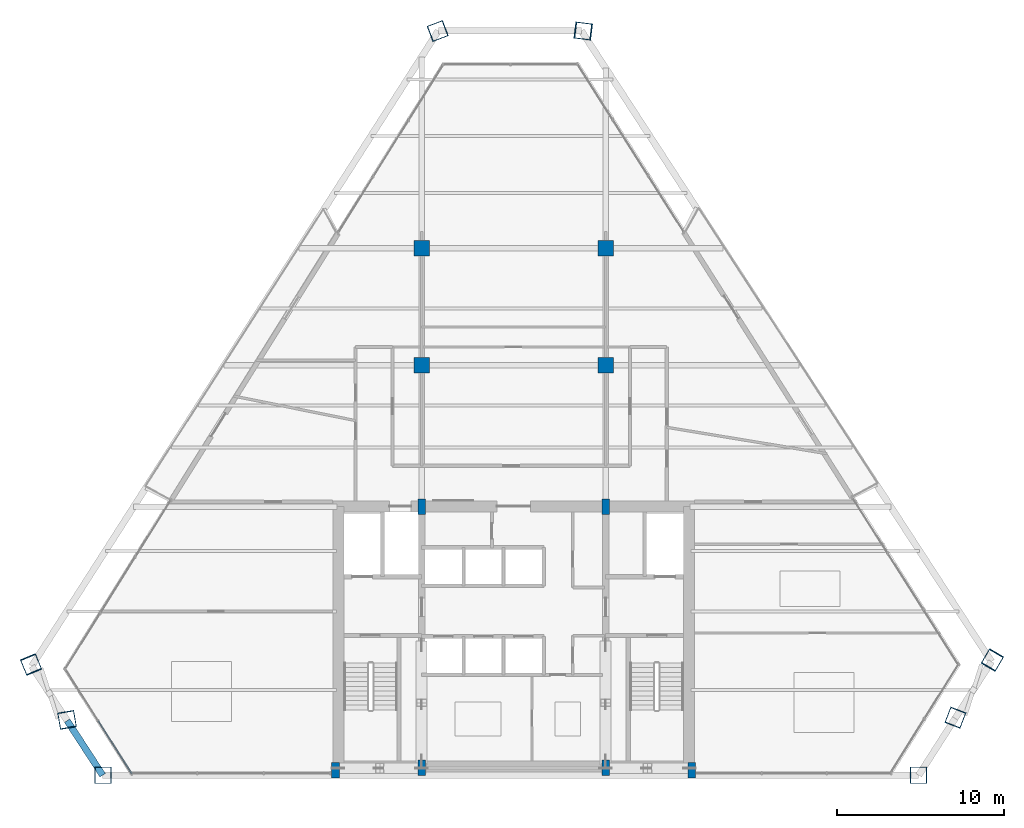
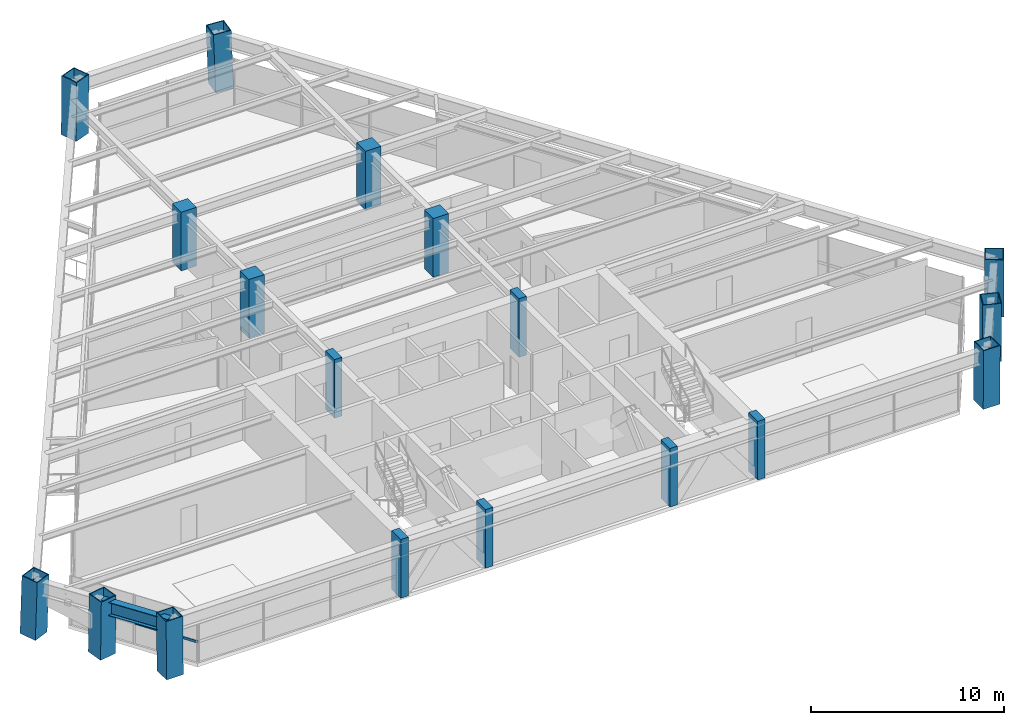
# One storey, part 1 of 15: 18 columns, 1 beam, 1 member, 1 element without a shape of its own.
"""IFC4 building model written with IfcOpenShell, lengths in metres."""

from ifc_helpers import new_model, si_unit, direction, frame, origin, origin_2d, place, context, subcontext, project, spatial, rectangle, hollow_rectangle, i_section, extrude, source, transform, mapped, material, material_profile, profile_set, type_object, type_shapes, element, aggregate, save


model = new_model("IFC4")

# Units and contexts
model_context = context("Model", 3, precision=1e-05, world=origin(), true_north=direction((0.0, 1.0)))
body_context = subcontext(model_context, "Body", "Model", "MODEL_VIEW")
ifc_project = project(units=[si_unit("LENGTHUNIT", "METRE"), si_unit("AREAUNIT", "SQUARE_METRE"), si_unit("VOLUMEUNIT", "CUBIC_METRE"), si_unit("PLANEANGLEUNIT", "RADIAN"), si_unit("MASSUNIT", "GRAM", prefix="KILO")], contexts=[model_context])

# Site, building, storey
site_placement = place(None, origin())
site = spatial("IfcSite", under=ifc_project, at=site_placement, CompositionType="ELEMENT")
building_placement = place(site_placement, origin())
building = spatial("IfcBuilding", under=site, at=building_placement, Name="Varnakhor Terracotta Tower", CompositionType="ELEMENT")
storey_placement = place(building_placement, frame((0.0, 0.0, 178.39990234375)))
storey = spatial("IfcBuildingStorey", under=building, at=storey_placement, Name="L45", CompositionType="ELEMENT", Elevation=178.39990234375)

# Columns
ifc_material_1 = material(Name="Concrete C50/60", Category="concrete")
ifc_material_profile_1 = material_profile(ifc_material_1, rectangle(XDim=0.449951171875, YDim=0.949951171875, at=origin_2d()), Name="RC PILASTER 950x450")
ifc_profile_set_1 = profile_set([ifc_material_profile_1], Name="Concrete C50/60")
column_type_1 = type_object("IfcColumnType", Name="COL-PIL-950x450", PredefinedType="PILASTER", material=ifc_profile_set_1)
shared_shape_1 = source(origin(), body_context, "Body", "SweptSolid", [
    extrude(rectangle(XDim=0.449951171875, YDim=0.949951171875, at=origin_2d()), origin(), (0.0, 0.0, 1.0), 3.7001953125),
])
for number, where, z_axis, x_axis, name in (
    (1, (-10.64990234375, 0.300048828125, 0.0), (0.0, 0.0, 1.0), (1.0, 0.0, 0.0), "L45 Core Pilaster CP1"),
    (2, (-5.5, 0.449951171875, 0.0), (0.0, 0.0, 1.0), (1.0, 0.0, 0.0), "L45 Core Pilaster CP2"),
    (3, (5.5, 0.449951171875, 0.0), (0.0, 0.0, 1.0), (1.0, 0.0, 0.0), "L45 Core Pilaster CP3"),
    (4, (10.64990234375, 0.300048828125, 0.0), (0.0, 0.0, 1.0), (1.0, 0.0, 0.0), "L45 Core Pilaster CP4"),
    (5, (-5.5, 16.050048828125, 0.0), (0.0, 0.0, 1.0), (1.0, 0.0, 0.0), "L45 Core Pilaster CP5"),
    (6, (5.5, 16.050048828125, 0.0), (0.0, 0.0, 1.0), (1.0, 0.0, 0.0), "L45 Core Pilaster CP6"),
):
    element("IfcColumn", number, at=place(storey_placement, frame(where, z_axis=z_axis, x_axis=x_axis)), inside=storey, type_object=column_type_1, Name=name, PredefinedType="PILASTER", context=body_context, shape_type="MappedRepresentation", body=[
        mapped(shared_shape_1, transform((0.0, 0.0, 0.0), scale=1.0)),
    ])
ifc_material_profile_2 = material_profile(ifc_material_1, rectangle(XDim=0.919921875, YDim=0.919921875, at=origin_2d()), Name="RC 920x920")
ifc_profile_set_2 = profile_set([ifc_material_profile_2], Name="Concrete C50/60")
column_type_2 = type_object("IfcColumnType", Name="COL-RC-920", PredefinedType="COLUMN", material=ifc_profile_set_2)
shared_shape_2 = source(origin(), body_context, "Body", "SweptSolid", [
    extrude(rectangle(XDim=0.919921875, YDim=0.919921875, at=origin_2d()), origin(), (0.0, 0.0, 1.0), 3.7001953125),
])
for number, where, z_axis, x_axis, name in (
    (7, (-5.5, 24.5, 0.0), (0.0, 0.0, 1.0), (1.0, 0.0, 0.0), "L45 Interior Tower Column IC1"),
    (8, (5.5, 24.5, 0.0), (0.0, 0.0, 1.0), (1.0, 0.0, 0.0), "L45 Interior Tower Column IC2"),
    (9, (-5.5, 31.5, 0.0), (0.0, 0.0, 1.0), (1.0, 0.0, 0.0), "L45 Interior Tower Column IC3"),
    (10, (5.5, 31.5, 0.0), (0.0, 0.0, 1.0), (1.0, 0.0, 0.0), "L45 Interior Tower Column IC4"),
):
    element("IfcColumn", number, at=place(storey_placement, frame(where, z_axis=z_axis, x_axis=x_axis)), inside=storey, type_object=column_type_2, Name=name, PredefinedType="COLUMN", context=body_context, shape_type="MappedRepresentation", body=[
        mapped(shared_shape_2, transform((0.0, 0.0, 0.0), scale=1.0)),
    ])
ifc_material_2 = material(Name="Steel S460", Category="steel")
ifc_material_profile_3 = material_profile(ifc_material_2, hollow_rectangle(XDim=1.0, YDim=1.0, WallThickness=0.050048828125, at=origin_2d()), Name="BOX 1000x1000x50")
ifc_profile_set_3 = profile_set([ifc_material_profile_3], Name="Steel S460")
column_type_3 = type_object("IfcColumnType", Name="COL-MEGA-1000", PredefinedType="COLUMN", material=ifc_profile_set_3)
shared_shape_3 = source(origin(), body_context, "Body", "SweptSolid", [
    extrude(hollow_rectangle(XDim=1.0, YDim=1.0, WallThickness=0.050048828125, at=origin_2d()), origin(), (0.0, 0.0, 1.0), 3.69140625),
])
type_shapes(column_type_3, [shared_shape_3])
for number, where, z_axis, x_axis, name in (
    (11, (-24.5390625, 0.0, 0.00439453125), (-0.007737863577, 0.0, 0.999970062285), (0.0, -1.0, 0.0), "L45 Perimeter Mega-Column M1"),
    (12, (24.195068359375, 0.0, 0.00439453125), (0.005886141416, 0.0, 0.99998267652), (0.0, 1.0, 0.0), "L45 Perimeter Mega-Column M2"),
):
    element("IfcColumn", number, at=place(storey_placement, frame(where, z_axis=z_axis, x_axis=x_axis)), inside=storey, type_object=column_type_3, Name=name, PredefinedType="COLUMN", context=body_context, shape_type="MappedRepresentation", body=[
        mapped(shared_shape_3, transform((0.0, 0.0, 0.0), scale=1.0)),
    ])
shared_shape_4 = source(origin(), body_context, "Body", "SweptSolid", [
    extrude(hollow_rectangle(XDim=1.0, YDim=1.0, WallThickness=0.050048828125, at=origin_2d()), origin(), (0.0, 0.0, 1.0), 3.691650390625),
])
column_1_placement = place(storey_placement, frame((-4.546875, 44.48681640625, 0.00439453125), z_axis=(0.011969917213, 0.004563117611, 0.999917946153), x_axis=(-0.356209994906, 0.934405928667, 0.0)))
element("IfcColumn", 13, at=column_1_placement, inside=storey, type_object=column_type_3, Name="L45 Perimeter Mega-Column M6", PredefinedType="COLUMN", context=body_context, shape_type="MappedRepresentation", body=[
    mapped(shared_shape_4, transform((0.0, 0.0, 0.0), scale=1.0)),
])
shared_shape_5 = source(origin(), body_context, "Body", "SweptSolid", [
    extrude(hollow_rectangle(XDim=1.0, YDim=1.0, WallThickness=0.050048828125, at=origin_2d()), origin(), (0.0, 0.0, 1.0), 3.69384765625),
])
column_2_placement = place(storey_placement, frame((4.180908203125, 44.48681640625, 0.00439453125), z_axis=(-0.036417246878, 0.004560417486, 0.999326266403), x_axis=(-0.124256370506, -0.992250147084, 0.0)))
element("IfcColumn", 14, at=column_2_placement, inside=storey, type_object=column_type_3, Name="L45 Perimeter Mega-Column M5", PredefinedType="COLUMN", context=body_context, shape_type="MappedRepresentation", body=[
    mapped(shared_shape_5, transform((0.0, 0.0, 0.0), scale=1.0)),
])
shared_shape_6 = source(origin(), body_context, "Body", "SweptSolid", [
    extrude(hollow_rectangle(XDim=1.0, YDim=1.0, WallThickness=0.050048828125, at=origin_2d()), origin(), (0.0, 0.0, 1.0), 3.693603515625),
])
for number, where, z_axis, x_axis, name in (
    (15, (28.629150390625, 6.903564453125, 0.00439453125), (-0.01731791124, -0.029480108446, 0.999415335662), (0.862232254706, -0.506513118235, 0.0), "L45 Perimeter Mega-Column M4"),
    (16, (-28.856689453125, 6.6376953125, 0.00439453125), (0.012889501729, -0.031133104176, 0.999432134049), (0.923945120737, 0.382525049986, 0.0), "L45 Perimeter Mega-Column M7"),
):
    element("IfcColumn", number, at=place(storey_placement, frame(where, z_axis=z_axis, x_axis=x_axis)), inside=storey, type_object=column_type_3, Name=name, PredefinedType="COLUMN", context=body_context, shape_type="MappedRepresentation", body=[
        mapped(shared_shape_6, transform((0.0, 0.0, 0.0), scale=1.0)),
    ])
shared_shape_7 = source(origin(), body_context, "Body", "SweptSolid", [
    extrude(hollow_rectangle(XDim=1.0, YDim=1.0, WallThickness=0.050048828125, at=origin_2d()), origin(), (0.0, 0.0, 1.0), 3.69189453125),
])
for number, where, z_axis, x_axis, name in (
    (17, (26.412109375, 3.451904296875, 0.00439453125), (-0.005687114639, -0.014812949759, 0.999874108699), (0.933560267925, -0.358420460007, 0.0), "L45 Perimeter Mega-Column M3"),
    (18, (-26.697998046875, 3.31884765625, 0.00439453125), (0.00264517392, -0.015540396781, 0.999875741841), (0.985821169784, 0.167799348048, 0.0), "L45 Perimeter Mega-Column M8"),
):
    element("IfcColumn", number, at=place(storey_placement, frame(where, z_axis=z_axis, x_axis=x_axis)), inside=storey, type_object=column_type_3, Name=name, PredefinedType="COLUMN", context=body_context, shape_type="MappedRepresentation", body=[
        mapped(shared_shape_7, transform((0.0, 0.0, 0.0), scale=1.0)),
    ])

# Beam
ifc_material_3 = material(Name="Steel S355", Category="steel")
ifc_material_profile_4 = material_profile(ifc_material_3, i_section(OverallWidth=0.39990234375, OverallDepth=0.85498046875, WebThickness=0.01806640625, FlangeThickness=0.029052734375, FilletRadius=0.01806640625, at=origin_2d()), Name="W33X201")
ifc_profile_set_4 = profile_set([ifc_material_profile_4], Name="Steel S355")
beam_type = type_object("IfcBeamType", Name="BM-W33X201", PredefinedType="BEAM", material=ifc_profile_set_4)
shared_shape_8 = source(origin(), body_context, "Body", "SweptSolid", [
    extrude(i_section(OverallWidth=0.39990234375, OverallDepth=0.85498046875, WebThickness=0.01806640625, FlangeThickness=0.029052734375, FilletRadius=0.01806640625, at=origin_2d()), origin(), (0.0, 0.0, 1.0), 3.890380859375),
])
beam_placement = place(storey_placement, frame((-26.688232421875, 3.261474609375, 3.04248046875), z_axis=(0.545105255966, -0.838367616215, 0.0), x_axis=(0.838367616215, 0.545105255966, 0.0)))
element("IfcBeam", 19, at=beam_placement, inside=storey, type_object=beam_type, Name="L45 Perimeter Spandrel 8", PredefinedType="BEAM", context=body_context, shape_type="MappedRepresentation", body=[
    mapped(shared_shape_8, transform((0.0, 0.0, 0.0), scale=1.0)),
])

# Curtain wall, member
ifc_material_4 = material(Name="Anodised Aluminium Curtain Wall System", Category="aluminium")
curtain_wall_type = type_object("IfcCurtainWallType", Name="CW-SYS-MID-OFFICE", PredefinedType="NOTDEFINED", material=ifc_material_4)
curtain_wall_placement = place(storey_placement, origin())
curtain_wall = element("IfcCurtainWall", 20, at=curtain_wall_placement, inside=storey, type_object=curtain_wall_type, Name="L45 Facet Curtain Wall 6", PredefinedType="NOTDEFINED")
ifc_material_5 = material(Name="Anodised Aluminium 6063-T6", Category="aluminium")
ifc_material_profile_5 = material_profile(ifc_material_5, rectangle(XDim=0.070068359375, YDim=0.155029296875, at=origin_2d()), Name="ALU TRANSOM 70x155")
ifc_profile_set_5 = profile_set([ifc_material_profile_5], Name="Anodised Aluminium 6063-T6")
member_type = type_object("IfcMemberType", Name="CWT-03", PredefinedType="USERDEFINED", material=ifc_profile_set_5)
shared_shape_9 = source(origin(), body_context, "Body", "SweptSolid", [
    extrude(rectangle(XDim=0.070068359375, YDim=0.155029296875, at=origin_2d()), origin(), (0.0, 0.0, 1.0), 3.735107421875),
])
member_placement = place(storey_placement, frame((-22.82373046875, 0.089599609375, 1.281005859375), z_axis=(-0.535580682152, 0.844484063145, 0.0), x_axis=(-0.844484063145, -0.535580682152, 0.0)))
member = element("IfcMember", 21, at=member_placement, type_object=member_type, Name="L45 Facet Curtain Wall 6 Transom 1", ObjectType="TRANSOM", PredefinedType="USERDEFINED", context=body_context, shape_type="MappedRepresentation", body=[
    mapped(shared_shape_9, transform((0.0, 0.0, 0.0), scale=1.0)),
])
aggregate(curtain_wall, [member])

save(model, "model.ifc")
